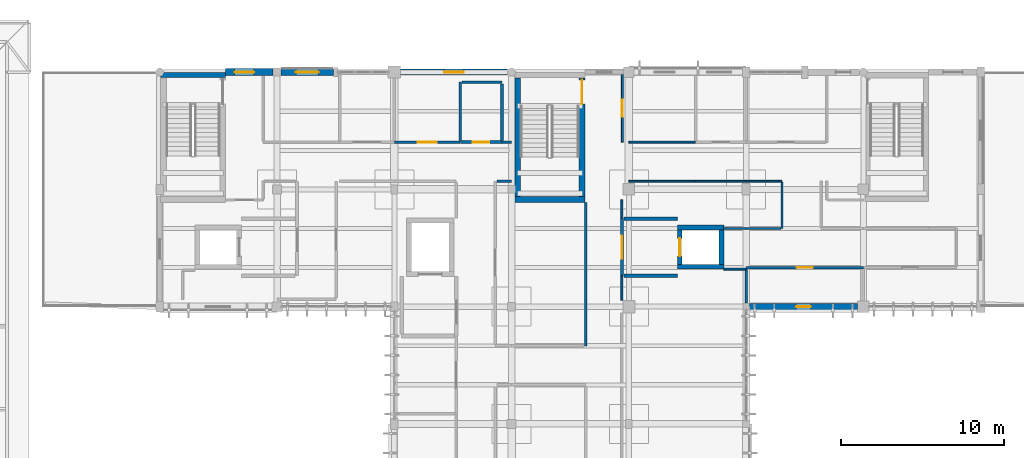
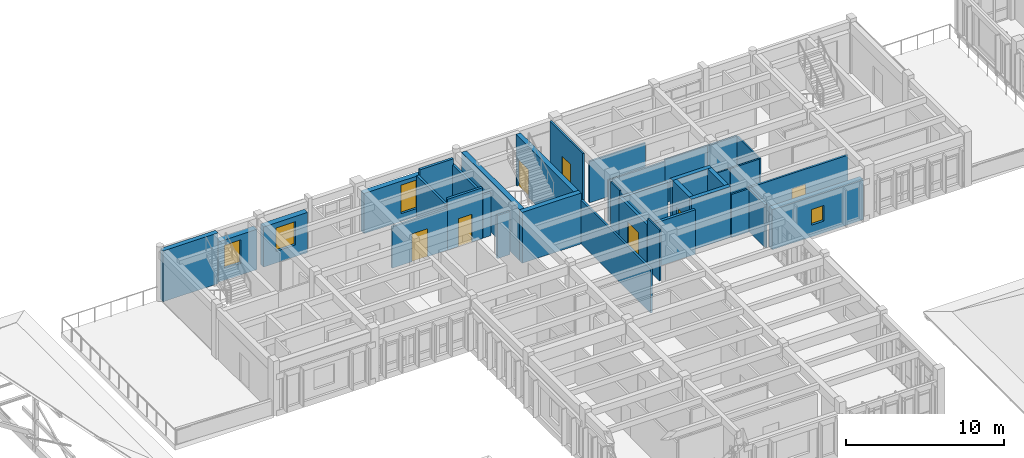
# One storey, part 37 of 51: 36 walls, 7 doors, 4 windows, 11 openings.
"""IFC4 building model written with IfcOpenShell, lengths in metres."""

from ifc_helpers import new_model, si_unit, direction, frame, frame_2d, origin, place, context, subcontext, project, spatial, rectangle, extrude, material, layer, layer_set, type_object, element, fill, save


model = new_model("IFC4")

# Units and contexts
model_context = context("Model", 3, precision=1e-05, world=origin(), true_north=direction((0.0, 1.0)))
body_context = subcontext(model_context, "Body", "Model", "MODEL_VIEW")
ifc_project = project(units=[si_unit("LENGTHUNIT", "METRE"), si_unit("AREAUNIT", "SQUARE_METRE"), si_unit("VOLUMEUNIT", "CUBIC_METRE"), si_unit("PLANEANGLEUNIT", "RADIAN"), si_unit("MASSUNIT", "GRAM", prefix="KILO")], contexts=[model_context])

# Site, building, storey
site_placement = place(None, origin())
site = spatial("IfcSite", under=ifc_project, at=site_placement, CompositionType="ELEMENT")
building_placement = place(site_placement, origin())
building = spatial("IfcBuilding", under=site, at=building_placement, Name="Steenspoor Specialist Clinic", CompositionType="ELEMENT")
storey_placement = place(building_placement, frame((0.0, 0.0, 17.39990234375)))
storey = spatial("IfcBuildingStorey", under=building, at=storey_placement, Name="L04", CompositionType="ELEMENT", Elevation=17.39990234375)

# Wall, opening, window
ifc_material_1 = material(Name="Extruded clay brick masonry", Category="masonry")
ifc_layer_1 = layer(ifc_material_1, 0.3798828125)
ifc_layer_set_1 = layer_set([ifc_layer_1], Name="Extruded clay brick masonry")
wall_type_1 = type_object("IfcWallType", Name="W-BRICK-380", PredefinedType="USERDEFINED", material=ifc_layer_set_1)
wall_1_placement = place(storey_placement, frame((74.375, 108.35009765625, 0.0), z_axis=(0.0, 0.0, 1.0), x_axis=(1.0, 0.0, 0.0)))
wall_1 = element("IfcWall", 1, at=wall_1_placement, inside=storey, type_object=wall_type_1, Name="Exterior Brick Wall EW-V4-L04-0202", ObjectType="CAVITY VENEER", PredefinedType="USERDEFINED", context=body_context, shape_type="SweptSolid", body=[
    extrude(rectangle(XDim=6.574951171875, YDim=0.3798828125, at=frame_2d((3.28759765625, 0.0))), origin(), (0.0, 0.0, 1.0), 3.10009765625),
])
opening_1_placement = place(wall_1_placement, frame((2.6875, 0.0, 0.60009765625)))
opening_1 = element("IfcOpeningElement", 2, at=opening_1_placement, cuts=wall_1, Name="Opening WN-15", PredefinedType="OPENING", context=body_context, shape_type="SweptSolid", body=[
    extrude(rectangle(XDim=1.199951171875, YDim=2.199951171875, at=frame_2d((0.60009765625, 1.10009765625))), frame((0.0, 0.199951171875, 0.0), z_axis=(0.0, -1.0, 0.0), x_axis=(1.0, 0.0, 0.0)), (0.0, 0.0, 1.0), 0.39990234375),
])
ifc_material_2 = material(Name="Thermally broken aluminium and low-emissivity glass", Category="aluminium")
window_type_1 = type_object("IfcWindowType", Name="WN-EXT-120X220", PartitioningType="SINGLE_PANEL", PredefinedType="WINDOW", material=ifc_material_2)
window_1_placement = place(opening_1_placement, origin())
window_1 = element("IfcWindow", 3, at=window_1_placement, inside=storey, type_object=window_type_1, Name="Window 0227", OverallHeight=2.199951171875, OverallWidth=1.199951171875, PartitioningType="SINGLE_PANEL", PredefinedType="WINDOW", context=body_context, shape_type="SweptSolid", body=[
    extrude(rectangle(XDim=1.199951171875, YDim=2.199951171875, at=frame_2d((0.60009765625, 1.10009765625))), frame((0.0, 0.030029296875, 0.0), z_axis=(0.0, -1.0, 0.0), x_axis=(1.0, 0.0, 0.0)), (0.0, 0.0, 1.0), 0.06005859375),
])
fill(opening_1, window_1)

ifc_layer_2 = layer(ifc_material_1, 0.409912109375)
ifc_layer_set_2 = layer_set([ifc_layer_2], Name="Extruded clay brick masonry")
wall_type_2 = type_object("IfcWallType", Name="W-BRICK-410", PredefinedType="USERDEFINED", material=ifc_layer_set_2)
wall_2_placement = place(storey_placement, frame((67.050048828125, 108.35009765625, 0.0), z_axis=(0.0, 0.0, 1.0), x_axis=(1.0, 0.0, 0.0)))
wall_2 = element("IfcWall", 4, at=wall_2_placement, inside=storey, type_object=wall_type_2, Name="Exterior Brick Wall EW-V4-L04-0201", ObjectType="CAVITY VENEER", PredefinedType="USERDEFINED", context=body_context, shape_type="SweptSolid", body=[
    extrude(rectangle(XDim=3.2099609375, YDim=0.409912109375, at=frame_2d((1.60498046875, 0.0))), origin(), (0.0, 0.0, 1.0), 3.10009765625),
])
opening_2_placement = place(wall_2_placement, frame((0.905029296875, 0.0, 0.89990234375)))
opening_2 = element("IfcOpeningElement", 5, at=opening_2_placement, cuts=wall_2, Name="Opening WN-06", PredefinedType="OPENING", context=body_context, shape_type="SweptSolid", body=[
    extrude(rectangle(XDim=1.39990234375, YDim=1.800048828125, at=frame_2d((0.699951171875, 0.89990234375))), frame((0.0, 0.21484375, 0.0), z_axis=(0.0, -1.0, 0.0), x_axis=(1.0, 0.0, 0.0)), (0.0, 0.0, 1.0), 0.429931640625),
])
window_type_2 = type_object("IfcWindowType", Name="WN-EXT-140X180", PartitioningType="SINGLE_PANEL", PredefinedType="WINDOW", material=ifc_material_2)
window_2_placement = place(opening_2_placement, origin())
window_2 = element("IfcWindow", 6, at=window_2_placement, inside=storey, type_object=window_type_2, Name="Window 0226", OverallHeight=1.800048828125, OverallWidth=1.39990234375, PartitioningType="SINGLE_PANEL", PredefinedType="WINDOW", context=body_context, shape_type="SweptSolid", body=[
    extrude(rectangle(XDim=1.39990234375, YDim=1.800048828125, at=frame_2d((0.699951171875, 0.89990234375))), frame((0.0, 0.030029296875, 0.0), z_axis=(0.0, -1.0, 0.0), x_axis=(1.0, 0.0, 0.0)), (0.0, 0.0, 1.0), 0.06005859375),
])
fill(opening_2, window_2)

wall_3_placement = place(storey_placement, frame((102.449951171875, 93.949951171875, 0.0), z_axis=(0.0, 0.0, 1.0), x_axis=(-1.0, 0.0, 0.0)))
wall_3 = element("IfcWall", 7, at=wall_3_placement, inside=storey, type_object=wall_type_2, Name="Exterior Brick Wall EW-V4-L04-0209", ObjectType="CAVITY VENEER", PredefinedType="USERDEFINED", context=body_context, shape_type="SweptSolid", body=[
    extrude(rectangle(XDim=6.64990234375, YDim=0.409912109375, at=frame_2d((3.324951171875, 0.0))), origin(), (0.0, 0.0, 1.0), 3.10009765625),
])
opening_3_placement = place(wall_3_placement, frame((2.875, 0.0, 0.89990234375)))
opening_3 = element("IfcOpeningElement", 8, at=opening_3_placement, cuts=wall_3, Name="Opening WN-21", PredefinedType="OPENING", context=body_context, shape_type="SweptSolid", body=[
    extrude(rectangle(XDim=0.89990234375, YDim=1.199951171875, at=frame_2d((0.449951171875, 0.60009765625))), frame((0.0, 0.21484375, 0.0), z_axis=(0.0, -1.0, 0.0), x_axis=(1.0, 0.0, 0.0)), (0.0, 0.0, 1.0), 0.429931640625),
])
window_type_3 = type_object("IfcWindowType", Name="WN-EXT-090X120", PartitioningType="SINGLE_PANEL", PredefinedType="WINDOW", material=ifc_material_2)
window_3_placement = place(opening_3_placement, origin())
window_3 = element("IfcWindow", 9, at=window_3_placement, inside=storey, type_object=window_type_3, Name="Window 0233", OverallHeight=1.199951171875, OverallWidth=0.89990234375, PartitioningType="SINGLE_PANEL", PredefinedType="WINDOW", context=body_context, shape_type="SweptSolid", body=[
    extrude(rectangle(XDim=0.89990234375, YDim=1.199951171875, at=frame_2d((0.449951171875, 0.60009765625))), frame((0.0, 0.030029296875, 0.0), z_axis=(0.0, -1.0, 0.0), x_axis=(1.0, 0.0, 0.0)), (0.0, 0.0, 1.0), 0.06005859375),
])
fill(opening_3, window_3)

ifc_layer_3 = layer(ifc_material_1, 0.43994140625)
ifc_layer_set_3 = layer_set([ifc_layer_3], Name="Extruded clay brick masonry")
wall_type_3 = type_object("IfcWallType", Name="W-BRICK-440", PredefinedType="USERDEFINED", material=ifc_layer_set_3)
wall_4_placement = place(storey_placement, frame((63.64990234375, 108.35009765625, 0.0), z_axis=(0.0, 0.0, 1.0), x_axis=(1.0, 0.0, 0.0)))
wall_4 = element("IfcWall", 10, at=wall_4_placement, inside=storey, type_object=wall_type_3, Name="Exterior Brick Wall EW-V4-L04-0200", ObjectType="CAVITY VENEER", PredefinedType="USERDEFINED", context=body_context, shape_type="SweptSolid", body=[
    extrude(rectangle(XDim=2.900146484375, YDim=0.43994140625, at=frame_2d((1.4501953125, 0.0))), origin(), (0.0, 0.0, 1.0), 3.10009765625),
])
opening_4_placement = place(wall_4_placement, frame((0.5400390625, 0.0, 0.89990234375)))
opening_4 = element("IfcOpeningElement", 11, at=opening_4_placement, cuts=wall_4, Name="Opening WN-05", PredefinedType="OPENING", context=body_context, shape_type="SweptSolid", body=[
    extrude(rectangle(XDim=1.199951171875, YDim=1.800048828125, at=frame_2d((0.60009765625, 0.89990234375))), frame((0.0, 0.22998046875, 0.0), z_axis=(0.0, -1.0, 0.0), x_axis=(1.0, 0.0, 0.0)), (0.0, 0.0, 1.0), 0.4599609375),
])
window_type_4 = type_object("IfcWindowType", Name="WN-EXT-120X180", PartitioningType="SINGLE_PANEL", PredefinedType="WINDOW", material=ifc_material_2)
window_4_placement = place(opening_4_placement, origin())
window_4 = element("IfcWindow", 12, at=window_4_placement, inside=storey, type_object=window_type_4, Name="Window 0225", OverallHeight=1.800048828125, OverallWidth=1.199951171875, PartitioningType="SINGLE_PANEL", PredefinedType="WINDOW", context=body_context, shape_type="SweptSolid", body=[
    extrude(rectangle(XDim=1.199951171875, YDim=1.800048828125, at=frame_2d((0.60009765625, 0.89990234375))), frame((0.0, 0.030029296875, 0.0), z_axis=(0.0, -1.0, 0.0), x_axis=(1.0, 0.0, 0.0)), (0.0, 0.0, 1.0), 0.06005859375),
])
fill(opening_4, window_4)

# Walls
ifc_material_3 = material(Name="Gypsum acoustic clinical partition", Category="gypsum")
ifc_layer_4 = layer(ifc_material_3, 0.14990234375)
ifc_layer_set_4 = layer_set([ifc_layer_4], Name="Gypsum acoustic clinical partition")
wall_type_4 = type_object("IfcWallType", Name="W-CLIN-150", PredefinedType="PARTITIONING", material=ifc_layer_set_4)
wall_5_placement = place(storey_placement, frame((85.75, 91.550048828125, 0.0), z_axis=(0.0, 0.0, 1.0), x_axis=(0.0, 1.0, 0.0)))
element("IfcWall", 13, at=wall_5_placement, inside=storey, type_object=wall_type_4, Name="Interior Partition IW-V4-L04-1802", PredefinedType="PARTITIONING", context=body_context, shape_type="SweptSolid", body=[
    extrude(rectangle(XDim=8.800048828125, YDim=0.14990234375, at=frame_2d((4.39990234375, 0.0))), origin(), (0.0, 0.0, 1.0), 3.385009765625),
])
wall_6_placement = place(storey_placement, frame((80.2900390625, 101.64990234375, 0.0), z_axis=(0.0, 0.0, 1.0), x_axis=(1.0, 0.0, 0.0)))
element("IfcWall", 14, at=wall_6_placement, inside=storey, type_object=wall_type_4, Name="Interior Partition IW-V4-L04-1806", PredefinedType="PARTITIONING", context=body_context, shape_type="SweptSolid", body=[
    extrude(rectangle(XDim=0.909912109375, YDim=0.14990234375, at=frame_2d((0.455078125, 0.0))), origin(), (0.0, 0.0, 1.0), 3.3251953125),
])

# Wall, opening, door
wall_7_placement = place(storey_placement, frame((95.60009765625, 96.35009765625, 0.0), z_axis=(0.0, 0.0, 1.0), x_axis=(1.0, 0.0, 0.0)))
wall_7 = element("IfcWall", 15, at=wall_7_placement, inside=storey, type_object=wall_type_4, Name="Interior Partition IW-V4-L04-1819", PredefinedType="PARTITIONING", context=body_context, shape_type="SweptSolid", body=[
    extrude(rectangle(XDim=7.199951171875, YDim=0.14990234375, at=frame_2d((3.60009765625, 0.0))), origin(), (0.0, 0.0, 1.0), 3.3251953125),
])
opening_5_placement = place(wall_7_placement, frame((3.10009765625, 0.0, 0.0)))
opening_5 = element("IfcOpeningElement", 16, at=opening_5_placement, cuts=wall_7, Name="Opening D0299", PredefinedType="OPENING", context=body_context, shape_type="SweptSolid", body=[
    extrude(rectangle(XDim=1.0, YDim=2.14990234375, at=frame_2d((0.5, 1.074951171875))), frame((0.0, 0.0849609375, 0.0), z_axis=(0.0, -1.0, 0.0), x_axis=(1.0, 0.0, 0.0)), (0.0, 0.0, 1.0), 0.169921875),
])
ifc_material_4 = material(Name="Moisture-resistant HPL accessible WC door", Category="wood")
door_type_1 = type_object("IfcDoorType", Name="DT-AWC-100X215", OperationType="NOTDEFINED", PredefinedType="DOOR", material=ifc_material_4)
door_1_placement = place(opening_5_placement, origin())
door_1 = element("IfcDoor", 17, at=door_1_placement, inside=storey, type_object=door_type_1, Name="Clinical Door D0299", OperationType="SINGLE_SWING_RIGHT", OverallHeight=2.14990234375, OverallWidth=1.0, PredefinedType="DOOR", context=body_context, shape_type="SweptSolid", body=[
    extrude(rectangle(XDim=1.0, YDim=2.14990234375, at=frame_2d((0.5, 1.074951171875))), frame((0.0, 0.02490234375, 0.0), z_axis=(0.0, -1.0, 0.0), x_axis=(1.0, 0.0, 0.0)), (0.0, 0.0, 1.0), 0.050048828125),
])
fill(opening_5, door_1)

# Wall
wall_8_placement = place(storey_placement, frame((80.614990234375, 104.050048828125, 0.0), z_axis=(0.0, 0.0, 1.0), x_axis=(1.0, 0.0, 0.0)))
element("IfcWall", 18, at=wall_8_placement, inside=storey, type_object=wall_type_4, Name="Interior Partition IW-V4-L04-1821", PredefinedType="PARTITIONING", context=body_context, shape_type="SweptSolid", body=[
    extrude(rectangle(XDim=0.5849609375, YDim=0.14990234375, at=frame_2d((0.29248046875, 0.0))), origin(), (0.0, 0.0, 1.0), 3.3251953125),
])

# Wall, opening, door
wall_9_placement = place(storey_placement, frame((74.014892578125, 104.050048828125, 0.0), z_axis=(0.0, 0.0, 1.0), x_axis=(1.0, 0.0, 0.0)))
wall_9 = element("IfcWall", 19, at=wall_9_placement, inside=storey, type_object=wall_type_4, Name="Interior Partition IW-V4-L04-1822", PredefinedType="PARTITIONING", context=body_context, shape_type="SweptSolid", body=[
    extrude(rectangle(XDim=4.02001953125, YDim=0.14990234375, at=frame_2d((2.010009765625, 0.0))), origin(), (0.0, 0.0, 1.0), 3.18505859375),
])
opening_6_placement = place(wall_9_placement, frame((1.43505859375, 0.0, 0.0)))
opening_6 = element("IfcOpeningElement", 20, at=opening_6_placement, cuts=wall_9, Name="Opening D0303", PredefinedType="OPENING", context=body_context, shape_type="SweptSolid", body=[
    extrude(rectangle(XDim=1.14990234375, YDim=2.14990234375, at=frame_2d((0.574951171875, 1.074951171875))), frame((0.0, 0.0849609375, 0.0), z_axis=(0.0, -1.0, 0.0), x_axis=(1.0, 0.0, 0.0)), (0.0, 0.0, 1.0), 0.169921875),
])
ifc_material_5 = material(Name="Solid-core hardwood clinical door", Category="wood")
door_type_2 = type_object("IfcDoorType", Name="DT-CONS-115X215", OperationType="NOTDEFINED", PredefinedType="DOOR", material=ifc_material_5)
door_2_placement = place(opening_6_placement, origin())
door_2 = element("IfcDoor", 21, at=door_2_placement, inside=storey, type_object=door_type_2, Name="Clinical Door D0303", OperationType="SINGLE_SWING_RIGHT", OverallHeight=2.14990234375, OverallWidth=1.14990234375, PredefinedType="DOOR", context=body_context, shape_type="SweptSolid", body=[
    extrude(rectangle(XDim=1.14990234375, YDim=2.14990234375, at=frame_2d((0.574951171875, 1.074951171875))), frame((0.0, 0.02490234375, 0.0), z_axis=(0.0, -1.0, 0.0), x_axis=(1.0, 0.0, 0.0)), (0.0, 0.0, 1.0), 0.050048828125),
])
fill(opening_6, door_2)

# Walls
wall_10_placement = place(storey_placement, frame((95.60009765625, 94.1650390625, 0.0), z_axis=(0.0, 0.0, 1.0), x_axis=(0.0, 1.0, 0.0)))
element("IfcWall", 22, at=wall_10_placement, inside=storey, type_object=wall_type_4, Name="Interior Partition IW-V4-L04-1903", PredefinedType="PARTITIONING", context=body_context, shape_type="SweptSolid", body=[
    extrude(rectangle(XDim=2.094970703125, YDim=0.14990234375, at=frame_2d((1.04736328125, 0.0))), origin(), (0.0, 0.0, 1.0), 3.3251953125),
])
ifc_material_6 = material(Name="Concrete C40/50", Category="concrete")
ifc_layer_5 = layer(ifc_material_6, 0.330078125)
ifc_layer_set_5 = layer_set([ifc_layer_5], Name="Concrete C40/50")
wall_type_5 = type_object("IfcWallType", Name="W-ESW-330", PredefinedType="SHEAR", material=ifc_layer_set_5)
wall_11_placement = place(storey_placement, frame((59.64990234375, 108.175048828125, 0.0), z_axis=(0.0, 0.0, 1.0), x_axis=(1.0, 0.0, 0.0)))
element("IfcWall", 23, at=wall_11_placement, inside=storey, type_object=wall_type_5, Name="Core Shear Wall SW-ST-V4A-L04-N", PredefinedType="SHEAR", context=body_context, shape_type="SweptSolid", body=[
    extrude(rectangle(XDim=4.0, YDim=0.330078125, at=frame_2d((2.0, 0.0))), origin(), (0.0, 0.0, 1.0), 3.920166015625),
])
ifc_material_7 = material(Name="Gypsum studio partition board", Category="gypsum")
ifc_layer_6 = layer(ifc_material_7, 0.1201171875)
ifc_layer_set_6 = layer_set([ifc_layer_6], Name="Gypsum studio partition board")
wall_type_6 = type_object("IfcWallType", Name="W-PART-120", PredefinedType="PARTITIONING", material=ifc_layer_set_6)
wall_12_placement = place(storey_placement, frame((87.973388671875, 94.340087890625, 0.0), z_axis=(0.0, 0.0, 1.0), x_axis=(0.000163318632, 0.999999986664, 0.0)))
element("IfcWall", 24, at=wall_12_placement, inside=storey, type_object=wall_type_6, Name="Interior Partition IW-V4-L04-1841", PredefinedType="PARTITIONING", context=body_context, shape_type="SweptSolid", body=[
    extrude(rectangle(XDim=1.494873046875, YDim=0.1201171875, at=frame_2d((0.74755859375, 0.0))), origin(), (0.0, 0.0, 1.0), 3.920166015625),
])
wall_13_placement = place(storey_placement, frame((87.969970703125, 99.364990234375, 0.0), z_axis=(0.0, 0.0, 1.0), x_axis=(0.0, 1.0, 0.0)))
element("IfcWall", 25, at=wall_13_placement, inside=storey, type_object=wall_type_6, Name="Interior Partition IW-V4-L04-1842", PredefinedType="PARTITIONING", context=body_context, shape_type="SweptSolid", body=[
    extrude(rectangle(XDim=1.135009765625, YDim=0.1201171875, at=frame_2d((0.5673828125, 0.0))), origin(), (0.0, 0.0, 1.0), 3.920166015625),
])
wall_14_placement = place(storey_placement, frame((88.39990234375, 101.64990234375, 0.0), z_axis=(0.0, 0.0, 1.0), x_axis=(1.0, 0.0, 0.0)))
element("IfcWall", 26, at=wall_14_placement, inside=storey, type_object=wall_type_6, Name="Interior Partition IW-V4-L04-1843", PredefinedType="PARTITIONING", context=body_context, shape_type="SweptSolid", body=[
    extrude(rectangle(XDim=4.10009765625, YDim=0.1201171875, at=frame_2d((2.050048828125, 0.0))), origin(), (0.0, 0.0, 1.0), 3.18505859375),
])
wall_15_placement = place(storey_placement, frame((92.514892578125, 101.64990234375, 0.0), z_axis=(0.0, 0.0, 1.0), x_axis=(1.0, 0.0, 0.0)))
element("IfcWall", 27, at=wall_15_placement, inside=storey, type_object=wall_type_6, Name="Interior Partition IW-V4-L04-1844", PredefinedType="PARTITIONING", context=body_context, shape_type="SweptSolid", body=[
    extrude(rectangle(XDim=3.085205078125, YDim=0.1201171875, at=frame_2d((1.54248046875, 0.0))), origin(), (0.0, 0.0, 1.0), 3.3251953125),
])
wall_16_placement = place(storey_placement, frame((95.614990234375, 101.64990234375, 0.0), z_axis=(0.0, 0.0, 1.0), x_axis=(1.0, 0.0, 0.0)))
element("IfcWall", 28, at=wall_16_placement, inside=storey, type_object=wall_type_6, Name="Interior Partition IW-V4-L04-1845", PredefinedType="PARTITIONING", context=body_context, shape_type="SweptSolid", body=[
    extrude(rectangle(XDim=2.18505859375, YDim=0.1201171875, at=frame_2d((1.092529296875, 0.0))), origin(), (0.0, 0.0, 1.0), 3.3251953125),
])
wall_17_placement = place(storey_placement, frame((97.800048828125, 98.75, 0.0), z_axis=(0.0, 0.0, 1.0), x_axis=(0.0, 1.0, 0.0)))
element("IfcWall", 29, at=wall_17_placement, inside=storey, type_object=wall_type_6, Name="Interior Partition IW-V4-L04-1846", PredefinedType="PARTITIONING", context=body_context, shape_type="SweptSolid", body=[
    extrude(rectangle(XDim=2.824951171875, YDim=0.1201171875, at=frame_2d((1.41259765625, 0.0))), origin(), (0.0, 0.0, 1.0), 3.3251953125),
])
wall_18_placement = place(storey_placement, frame((95.60009765625, 98.75, 0.0), z_axis=(0.0, 0.0, 1.0), x_axis=(1.0, 0.0, 0.0)))
element("IfcWall", 30, at=wall_18_placement, inside=storey, type_object=wall_type_6, Name="Interior Partition IW-V4-L04-1847", PredefinedType="PARTITIONING", context=body_context, shape_type="SweptSolid", body=[
    extrude(rectangle(XDim=2.125, YDim=0.1201171875, at=frame_2d((1.0625, 0.0))), origin(), (0.0, 0.0, 1.0), 3.3251953125),
])
for number, where, z_axis, x_axis, name in (
    (31, (94.239990234375, 98.75, 0.0), (0.0, 0.0, 1.0), (1.0, 0.0, 0.0), "Interior Partition IW-V4-L04-1848"),
    (32, (94.239990234375, 96.25, 0.0), (0.0, 0.0, 1.0), (1.0, 0.0, 0.0), "Interior Partition IW-V4-L04-1849"),
):
    element("IfcWall", number, at=place(storey_placement, frame(where, z_axis=z_axis, x_axis=x_axis)), inside=storey, type_object=wall_type_6, Name=name, PredefinedType="PARTITIONING", context=body_context, shape_type="SweptSolid", body=[
        extrude(rectangle(XDim=1.344970703125, YDim=0.1201171875, at=frame_2d((0.67236328125, 0.0))), origin(), (0.0, 0.0, 1.0), 3.3251953125),
    ])

# Wall, opening, door
wall_19_placement = place(storey_placement, frame((88.0, 104.050048828125, 0.0), z_axis=(0.0, 0.0, 1.0), x_axis=(0.0, 1.0, 0.0)))
wall_19 = element("IfcWall", 33, at=wall_19_placement, inside=storey, type_object=wall_type_6, Name="Interior Partition IW-V4-L04-1869", PredefinedType="PARTITIONING", context=body_context, shape_type="SweptSolid", body=[
    extrude(rectangle(XDim=4.14990234375, YDim=0.1201171875, at=frame_2d((2.074951171875, 0.0))), origin(), (0.0, 0.0, 1.0), 3.920166015625),
])
opening_7_placement = place(wall_19_placement, frame((1.550048828125, 0.0, 0.0)))
opening_7 = element("IfcOpeningElement", 34, at=opening_7_placement, cuts=wall_19, Name="Opening D0304", PredefinedType="OPENING", context=body_context, shape_type="SweptSolid", body=[
    extrude(rectangle(XDim=1.050048828125, YDim=2.14990234375, at=frame_2d((0.52490234375, 1.074951171875))), frame((0.0, 0.070068359375, 0.0), z_axis=(0.0, -1.0, 0.0), x_axis=(1.0, 0.0, 0.0)), (0.0, 0.0, 1.0), 0.14013671875),
])
ifc_material_8 = material(Name="Solid-core hardwood office door", Category="wood")
door_type_3 = type_object("IfcDoorType", Name="DT-OFF-105X215", OperationType="NOTDEFINED", PredefinedType="DOOR", material=ifc_material_8)
door_3_placement = place(opening_7_placement, origin())
door_3 = element("IfcDoor", 35, at=door_3_placement, inside=storey, type_object=door_type_3, Name="Clinical Door D0304", OperationType="SINGLE_SWING_LEFT", OverallHeight=2.14990234375, OverallWidth=1.050048828125, PredefinedType="DOOR", context=body_context, shape_type="SweptSolid", body=[
    extrude(rectangle(XDim=1.050048828125, YDim=2.14990234375, at=frame_2d((0.52490234375, 1.074951171875))), frame((0.0, 0.02490234375, 0.0), z_axis=(0.0, -1.0, 0.0), x_axis=(1.0, 0.0, 0.0)), (0.0, 0.0, 1.0), 0.050048828125),
])
fill(opening_7, door_3)

# Wall
wall_20_placement = place(storey_placement, frame((88.39990234375, 104.050048828125, 0.0), z_axis=(0.0, 0.0, 1.0), x_axis=(1.0, 0.0, 0.0)))
element("IfcWall", 36, at=wall_20_placement, inside=storey, type_object=wall_type_6, Name="Interior Partition IW-V4-L04-1870", PredefinedType="PARTITIONING", context=body_context, shape_type="SweptSolid", body=[
    extrude(rectangle(XDim=4.085205078125, YDim=0.1201171875, at=frame_2d((2.04248046875, 0.0))), origin(), (0.0, 0.0, 1.0), 3.18505859375),
])

# Wall, opening, door
ifc_material_9 = material(Name="Moisture-resistant gypsum plumbing wall", Category="gypsum")
ifc_layer_7 = layer(ifc_material_9, 0.179931640625)
ifc_layer_set_7 = layer_set([ifc_layer_7], Name="Moisture-resistant gypsum plumbing wall")
wall_type_7 = type_object("IfcWallType", Name="W-PLUMB-180", PredefinedType="PLUMBINGWALL", material=ifc_layer_set_7)
wall_21_placement = place(storey_placement, frame((78.050048828125, 104.050048828125, 0.0), z_axis=(0.0, 0.0, 1.0), x_axis=(1.0, 0.0, 0.0)))
wall_21 = element("IfcWall", 37, at=wall_21_placement, inside=storey, type_object=wall_type_7, Name="Interior Partition IW-V4-L04-1791", PredefinedType="PLUMBINGWALL", context=body_context, shape_type="SweptSolid", body=[
    extrude(rectangle(XDim=2.550048828125, YDim=0.179931640625, at=frame_2d((1.27490234375, 0.0))), origin(), (0.0, 0.0, 1.0), 3.920166015625),
])
opening_8_placement = place(wall_21_placement, frame((0.77490234375, 0.0, 0.0)))
opening_8 = element("IfcOpeningElement", 38, at=opening_8_placement, cuts=wall_21, Name="Opening D0302", PredefinedType="OPENING", context=body_context, shape_type="SweptSolid", body=[
    extrude(rectangle(XDim=1.0, YDim=2.14990234375, at=frame_2d((0.5, 1.074951171875))), frame((0.0, 0.10009765625, 0.0), z_axis=(0.0, -1.0, 0.0), x_axis=(1.0, 0.0, 0.0)), (0.0, 0.0, 1.0), 0.199951171875),
])
door_4_placement = place(opening_8_placement, origin())
door_4 = element("IfcDoor", 39, at=door_4_placement, inside=storey, type_object=door_type_1, Name="Clinical Door D0302", OperationType="SINGLE_SWING_LEFT", OverallHeight=2.14990234375, OverallWidth=1.0, PredefinedType="DOOR", context=body_context, shape_type="SweptSolid", body=[
    extrude(rectangle(XDim=1.0, YDim=2.14990234375, at=frame_2d((0.5, 1.074951171875))), frame((0.0, 0.02490234375, 0.0), z_axis=(0.0, -1.0, 0.0), x_axis=(1.0, 0.0, 0.0)), (0.0, 0.0, 1.0), 0.050048828125),
])
fill(opening_8, door_4)

# Walls
wall_22_placement = place(storey_placement, frame((78.050048828125, 104.155029296875, 0.0), z_axis=(0.0, 0.0, 1.0), x_axis=(0.0, 1.0, 0.0)))
element("IfcWall", 40, at=wall_22_placement, inside=storey, type_object=wall_type_7, Name="Interior Partition IW-V4-L04-1799", PredefinedType="PLUMBINGWALL", context=body_context, shape_type="SweptSolid", body=[
    extrude(rectangle(XDim=3.574951171875, YDim=0.179931640625, at=frame_2d((1.78759765625, 0.0))), origin(), (0.0, 0.0, 1.0), 3.485107421875),
])
wall_23_placement = place(storey_placement, frame((78.155029296875, 107.72998046875, 0.0), z_axis=(0.0, 0.0, 1.0), x_axis=(1.0, 0.0, 0.0)))
element("IfcWall", 41, at=wall_23_placement, inside=storey, type_object=wall_type_7, Name="Interior Partition IW-V4-L04-1800", PredefinedType="PLUMBINGWALL", context=body_context, shape_type="SweptSolid", body=[
    extrude(rectangle(XDim=2.445068359375, YDim=0.179931640625, at=frame_2d((1.22265625, 0.0))), origin(), (0.0, 0.0, 1.0), 3.920166015625),
])
wall_24_placement = place(storey_placement, frame((80.60009765625, 104.155029296875, 0.0), z_axis=(0.0, 0.0, 1.0), x_axis=(0.0, 1.0, 0.0)))
element("IfcWall", 42, at=wall_24_placement, inside=storey, type_object=wall_type_7, Name="Interior Partition IW-V4-L04-1801", PredefinedType="PLUMBINGWALL", context=body_context, shape_type="SweptSolid", body=[
    extrude(rectangle(XDim=3.469970703125, YDim=0.179931640625, at=frame_2d((1.73486328125, 0.0))), origin(), (0.0, 0.0, 1.0), 3.485107421875),
])

# Wall, opening, door
ifc_material_10 = material(Name="Gypsum acoustic smoke barrier board", Category="gypsum")
ifc_layer_8 = layer(ifc_material_10, 0.199951171875)
ifc_layer_set_8 = layer_set([ifc_layer_8], Name="Gypsum acoustic smoke barrier board")
wall_type_8 = type_object("IfcWallType", Name="W-SMOKE-200", PredefinedType="PARTITIONING", material=ifc_layer_set_8)
wall_25_placement = place(storey_placement, frame((87.97509765625, 95.85009765625, 0.0), z_axis=(0.0, 0.0, 1.0), x_axis=(0.0, 1.0, 0.0)))
wall_25 = element("IfcWall", 43, at=wall_25_placement, inside=storey, type_object=wall_type_8, Name="Interior Partition IW-V4-L04-1787", PredefinedType="PARTITIONING", context=body_context, shape_type="SweptSolid", body=[
    extrude(rectangle(XDim=3.5, YDim=0.199951171875, at=frame_2d((1.75, 0.0))), origin(), (0.0, 0.0, 1.0), 3.445068359375),
])
opening_9_placement = place(wall_25_placement, frame((1.050048828125, 0.0, 0.0)))
opening_9 = element("IfcOpeningElement", 44, at=opening_9_placement, cuts=wall_25, Name="Opening D0288", PredefinedType="OPENING", context=body_context, shape_type="SweptSolid", body=[
    extrude(rectangle(XDim=1.39990234375, YDim=2.199951171875, at=frame_2d((0.699951171875, 1.10009765625))), frame((0.0, 0.10986328125, 0.0), z_axis=(0.0, -1.0, 0.0), x_axis=(1.0, 0.0, 0.0)), (0.0, 0.0, 1.0), 0.219970703125),
])
ifc_material_11 = material(Name="Fire-rated clinical laminate door", Category="steel")
door_type_4 = type_object("IfcDoorType", Name="DT-LAB-140X220", OperationType="NOTDEFINED", PredefinedType="DOOR", material=ifc_material_11)
door_5_placement = place(opening_9_placement, origin())
door_5 = element("IfcDoor", 45, at=door_5_placement, inside=storey, type_object=door_type_4, Name="Lift Lobby Fire Door D0288", OperationType="SINGLE_SWING_LEFT", OverallHeight=2.199951171875, OverallWidth=1.39990234375, PredefinedType="DOOR", context=body_context, shape_type="SweptSolid", body=[
    extrude(rectangle(XDim=1.39990234375, YDim=2.199951171875, at=frame_2d((0.699951171875, 1.10009765625))), frame((0.0, 0.02490234375, 0.0), z_axis=(0.0, -1.0, 0.0), x_axis=(1.0, 0.0, 0.0)), (0.0, 0.0, 1.0), 0.050048828125),
])
fill(opening_9, door_5)

# Walls
for number, where, z_axis, x_axis, name in (
    (46, (88.090087890625, 99.35009765625, 0.0), (0.0, 0.0, 1.0), (1.0, 0.0, 0.0), "Interior Partition IW-V4-L04-1794"),
    (47, (88.090087890625, 95.85009765625, 0.0), (0.0, 0.0, 1.0), (1.0, 0.0, 0.0), "Interior Partition IW-V4-L04-1795"),
):
    element("IfcWall", number, at=place(storey_placement, frame(where, z_axis=z_axis, x_axis=x_axis)), inside=storey, type_object=wall_type_8, Name=name, PredefinedType="PARTITIONING", context=body_context, shape_type="SweptSolid", body=[
        extrude(rectangle(XDim=3.284912109375, YDim=0.199951171875, at=frame_2d((1.642578125, 0.0))), origin(), (0.0, 0.0, 1.0), 3.425048828125),
    ])
ifc_layer_9 = layer(ifc_material_6, 0.300048828125)
ifc_layer_set_9 = layer_set([ifc_layer_9], Name="Concrete C40/50")
wall_type_9 = type_object("IfcWallType", Name="W-SW-300", PredefinedType="SHEAR", material=ifc_layer_set_9)
for number, where, z_axis, x_axis, name in (
    (48, (91.375, 96.39990234375, 0.0), (0.0, 0.0, 1.0), (1.0, 0.0, 0.0), "Lift Shaft Shear Wall SW-EL-P1-L04-S"),
    (49, (91.375, 98.800048828125, 0.0), (0.0, 0.0, 1.0), (1.0, 0.0, 0.0), "Lift Shaft Shear Wall SW-EL-P1-L04-N"),
):
    element("IfcWall", number, at=place(storey_placement, frame(where, z_axis=z_axis, x_axis=x_axis)), inside=storey, type_object=wall_type_9, Name=name, PredefinedType="SHEAR", context=body_context, shape_type="SweptSolid", body=[
        extrude(rectangle(XDim=2.85009765625, YDim=0.300048828125, at=frame_2d((1.425048828125, 0.0))), origin(), (0.0, 0.0, 1.0), 3.920166015625),
    ])

# Wall, opening, door
wall_26_placement = place(storey_placement, frame((91.52490234375, 96.550048828125, 0.0), z_axis=(0.0, 0.0, 1.0), x_axis=(0.0, 1.0, 0.0)))
wall_26 = element("IfcWall", 50, at=wall_26_placement, inside=storey, type_object=wall_type_9, Name="Lift Shaft Shear Wall SW-EL-P1-L04-W", PredefinedType="SHEAR", context=body_context, shape_type="SweptSolid", body=[
    extrude(rectangle(XDim=2.099853515625, YDim=0.300048828125, at=frame_2d((1.0498046875, 0.0))), origin(), (0.0, 0.0, 1.0), 3.920166015625),
])
opening_10_placement = place(wall_26_placement, frame((0.5, 0.0, 0.0)))
opening_10 = element("IfcOpeningElement", 51, at=opening_10_placement, cuts=wall_26, Name="Opening LD15", PredefinedType="OPENING", context=body_context, shape_type="SweptSolid", body=[
    extrude(rectangle(XDim=1.10009765625, YDim=2.14990234375, at=frame_2d((0.550048828125, 1.074951171875))), frame((0.0, 0.16015625, 0.0), z_axis=(0.0, -1.0, 0.0), x_axis=(1.0, 0.0, 0.0)), (0.0, 0.0, 1.0), 0.320068359375),
])
ifc_material_12 = material(Name="Stainless steel lift landing door", Category="steel")
door_type_5 = type_object("IfcDoorType", Name="DT-LIFT-P-110", OperationType="NOTDEFINED", PredefinedType="DOOR", material=ifc_material_12)
door_6_placement = place(opening_10_placement, origin())
door_6 = element("IfcDoor", 52, at=door_6_placement, inside=storey, type_object=door_type_5, Name="Lift Landing Door LD15", OperationType="SLIDING_TO_LEFT", OverallHeight=2.14990234375, OverallWidth=1.10009765625, PredefinedType="DOOR", context=body_context, shape_type="SweptSolid", body=[
    extrude(rectangle(XDim=1.10009765625, YDim=2.14990234375, at=frame_2d((0.550048828125, 1.074951171875))), frame((0.0, 0.02490234375, 0.0), z_axis=(0.0, -1.0, 0.0), x_axis=(1.0, 0.0, 0.0)), (0.0, 0.0, 1.0), 0.050048828125),
])
fill(opening_10, door_6)

# Walls
wall_27_placement = place(storey_placement, frame((94.074951171875, 96.550048828125, 0.0), z_axis=(0.0, 0.0, 1.0), x_axis=(0.0, 1.0, 0.0)))
element("IfcWall", 53, at=wall_27_placement, inside=storey, type_object=wall_type_9, Name="Lift Shaft Shear Wall SW-EL-P1-L04-E", PredefinedType="SHEAR", context=body_context, shape_type="SweptSolid", body=[
    extrude(rectangle(XDim=2.099853515625, YDim=0.300048828125, at=frame_2d((1.0498046875, 0.0))), origin(), (0.0, 0.0, 1.0), 3.920166015625),
])
ifc_layer_10 = layer(ifc_material_6, 0.35009765625)
ifc_layer_set_10 = layer_set([ifc_layer_10], Name="Concrete C40/50")
wall_type_10 = type_object("IfcWallType", Name="W-SW-350", PredefinedType="SHEAR", material=ifc_layer_set_10)
wall_28_placement = place(storey_placement, frame((81.39990234375, 100.52490234375, 0.0), z_axis=(0.0, 0.0, 1.0), x_axis=(1.0, 0.0, 0.0)))
element("IfcWall", 54, at=wall_28_placement, inside=storey, type_object=wall_type_10, Name="Core Shear Wall SW-ST-V4C-L04-S", PredefinedType="SHEAR", context=body_context, shape_type="SweptSolid", body=[
    extrude(rectangle(XDim=4.300048828125, YDim=0.35009765625, at=frame_2d((2.14990234375, 0.0))), origin(), (0.0, 0.0, 1.0), 3.920166015625),
])
wall_29_placement = place(storey_placement, frame((81.574951171875, 100.699951171875, 0.0), z_axis=(0.0, 0.0, 1.0), x_axis=(0.0, 1.0, 0.0)))
element("IfcWall", 55, at=wall_29_placement, inside=storey, type_object=wall_type_10, Name="Core Shear Wall SW-ST-V4C-L04-W", PredefinedType="SHEAR", context=body_context, shape_type="SweptSolid", body=[
    extrude(rectangle(XDim=7.300048828125, YDim=0.35009765625, at=frame_2d((3.64990234375, 0.0))), origin(), (0.0, 0.0, 1.0), 3.920166015625),
])

# Wall, opening, door
wall_30_placement = place(storey_placement, frame((85.52490234375, 100.699951171875, 0.0), z_axis=(0.0, 0.0, 1.0), x_axis=(0.0, 1.0, 0.0)))
wall_30 = element("IfcWall", 56, at=wall_30_placement, inside=storey, type_object=wall_type_10, Name="Core Shear Wall SW-ST-V4C-L04-E", PredefinedType="SHEAR", context=body_context, shape_type="SweptSolid", body=[
    extrude(rectangle(XDim=7.300048828125, YDim=0.35009765625, at=frame_2d((3.64990234375, 0.0))), origin(), (0.0, 0.0, 1.0), 3.920166015625),
])
opening_11_placement = place(wall_30_placement, frame((5.679931640625, 0.0, 0.0)))
opening_11 = element("IfcOpeningElement", 57, at=opening_11_placement, cuts=wall_30, Name="Opening SD025", PredefinedType="OPENING", context=body_context, shape_type="SweptSolid", body=[
    extrude(rectangle(XDim=1.5, YDim=2.14990234375, at=frame_2d((0.75, 1.074951171875))), frame((0.0, 0.18505859375, 0.0), z_axis=(0.0, -1.0, 0.0), x_axis=(1.0, 0.0, 0.0)), (0.0, 0.0, 1.0), 0.3701171875),
])
ifc_material_13 = material(Name="Fire-rated steel acoustic door", Category="steel")
door_type_6 = type_object("IfcDoorType", Name="DT-STAIR-150X215", OperationType="NOTDEFINED", PredefinedType="DOOR", material=ifc_material_13)
door_7_placement = place(opening_11_placement, origin())
door_7 = element("IfcDoor", 58, at=door_7_placement, inside=storey, type_object=door_type_6, Name="Exit Stair Fire Door SD025", OperationType="SINGLE_SWING_RIGHT", OverallHeight=2.14990234375, OverallWidth=1.5, PredefinedType="DOOR", context=body_context, shape_type="SweptSolid", body=[
    extrude(rectangle(XDim=1.5, YDim=2.14990234375, at=frame_2d((0.75, 1.074951171875))), frame((0.0, 0.02490234375, 0.0), z_axis=(0.0, -1.0, 0.0), x_axis=(1.0, 0.0, 0.0)), (0.0, 0.0, 1.0), 0.050048828125),
])
fill(opening_11, door_7)

save(model, "model.ifc")
